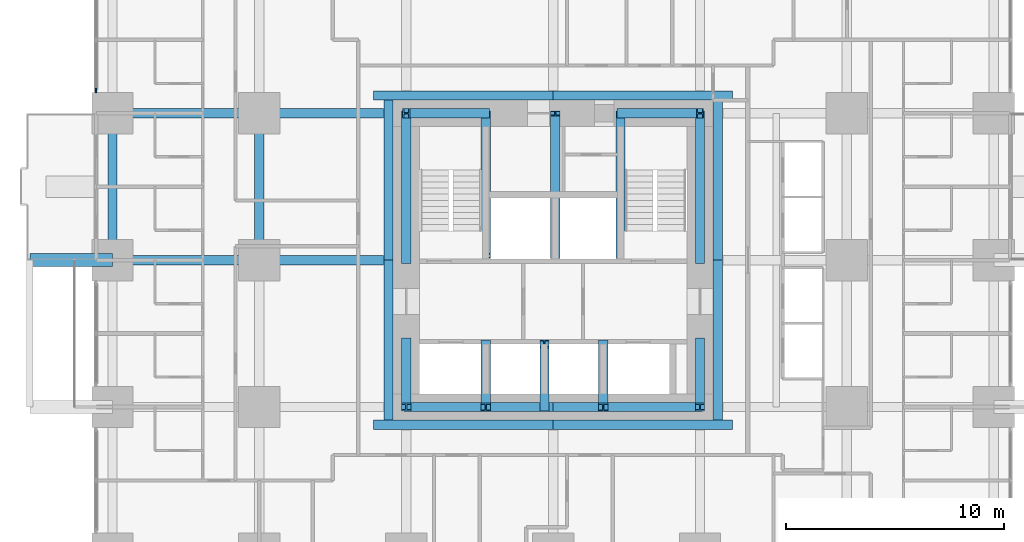
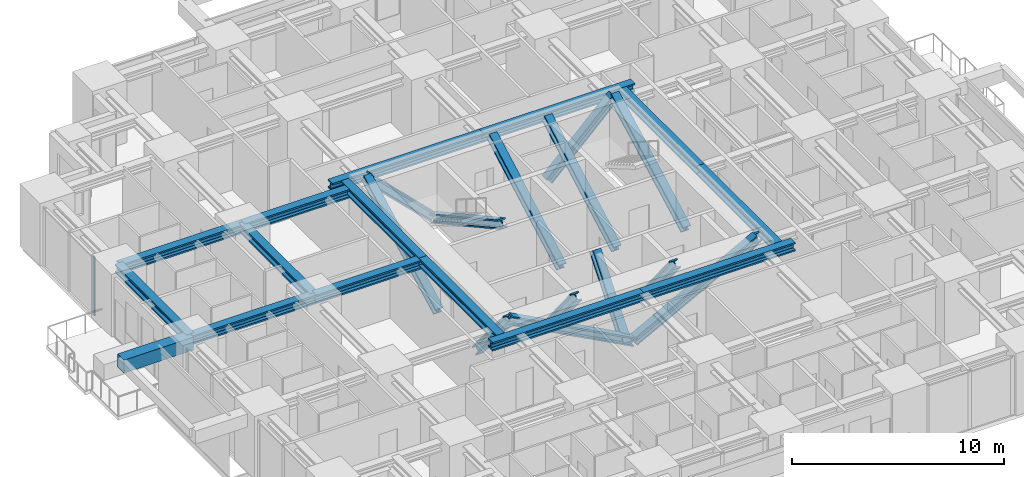
# One storey, part 3 of 15: 15 beams, 15 members, 1 element without a shape of its own.
"""IFC4 building model written with IfcOpenShell, lengths in metres."""

from ifc_helpers import new_model, si_unit, direction, frame, origin, origin_2d, place, context, subcontext, project, spatial, rectangle, i_section, extrude, material, material_profile, profile_set, type_object, element, aggregate, save


model = new_model("IFC4")

# Units and contexts
model_context = context("Model", 3, precision=1e-05, world=origin(), true_north=direction((0.0, 1.0)))
body_context = subcontext(model_context, "Body", "Model", "MODEL_VIEW")
ifc_project = project(units=[si_unit("LENGTHUNIT", "METRE"), si_unit("AREAUNIT", "SQUARE_METRE"), si_unit("VOLUMEUNIT", "CUBIC_METRE"), si_unit("PLANEANGLEUNIT", "RADIAN"), si_unit("MASSUNIT", "GRAM", prefix="KILO")], contexts=[model_context])

# Site, building, storey
site_placement = place(None, origin())
site = spatial("IfcSite", under=ifc_project, at=site_placement, CompositionType="ELEMENT")
building_placement = place(site_placement, origin())
building = spatial("IfcBuilding", under=site, at=building_placement, Name="Nyansa Garden Tower", CompositionType="ELEMENT")
storey_placement = place(building_placement, frame((0.0, 0.0, 36.0)))
storey = spatial("IfcBuildingStorey", under=building, at=storey_placement, Name="L09", CompositionType="ELEMENT", Elevation=36.0)

# Beam
ifc_material_1 = material(Name="Concrete C70/85", Category="concrete")
ifc_material_profile_1 = material_profile(ifc_material_1, rectangle(XDim=0.60009765625, YDim=0.75, at=origin_2d()), Name="RC 600x750")
ifc_profile_set_1 = profile_set([ifc_material_profile_1], Name="Concrete C70/85")
beam_type_1 = type_object("IfcBeamType", Name="Balcony cantilever beam CB1 RC 600x750", PredefinedType="BEAM", material=ifc_profile_set_1)
beam_1_placement = place(storey_placement, frame((0.0, 20.25, 2.985107421875), z_axis=(-1.0, 0.0, 0.0), x_axis=(0.0, -1.0, 0.0)))
element("IfcBeam", 1, at=beam_1_placement, inside=storey, type_object=beam_type_1, Name="Balcony cantilever beam L10", PredefinedType="BEAM", context=body_context, shape_type="SweptSolid", body=[
    extrude(rectangle(XDim=0.60009765625, YDim=0.75, at=origin_2d()), origin(), (0.0, 0.0, 1.0), 3.800048828125),
])

# Curtain wall, member
ifc_material_2 = material(Name="Black anodised aluminium, dark tinted double glazing", Category="aluminium")
curtain_wall_type = type_object("IfcCurtainWallType", Name="Inner skin curtain wall ISW-A", PredefinedType="USERDEFINED", material=ifc_material_2)
curtain_wall_placement = place(storey_placement, origin())
curtain_wall = element("IfcCurtainWall", 2, at=curtain_wall_placement, inside=storey, type_object=curtain_wall_type, Name="Inner skin curtain wall L09 W", ObjectType="UNITISED CURTAIN WALL", PredefinedType="USERDEFINED")
ifc_material_3 = material(Name="Black anodised aluminium", Category="aluminium")
ifc_material_profile_2 = material_profile(ifc_material_3, rectangle(XDim=0.06494140625, YDim=0.199951171875, at=origin_2d()), Name="Mullion 200x65")
ifc_profile_set_2 = profile_set([ifc_material_profile_2], Name="Black anodised aluminium")
member_type_1 = type_object("IfcMemberType", Name="Mullion ISW-A 200x65", PredefinedType="MULLION", material=ifc_profile_set_2)
member_1_placement = place(storey_placement, frame((-0.75, 28.050048828125, 0.0), z_axis=(0.0, 0.0, 1.0), x_axis=(1.0, 0.0, 0.0)))
member_1 = element("IfcMember", 3, at=member_1_placement, type_object=member_type_1, Name="ISW-A mullion 3", PredefinedType="MULLION", context=body_context, shape_type="SweptSolid", body=[
    extrude(rectangle(XDim=0.06494140625, YDim=0.199951171875, at=origin_2d()), origin(), (0.0, 0.0, 1.0), 3.375),
])
aggregate(curtain_wall, [member_1])

# Members
ifc_material_4 = material(Name="Steel S355", Category="steel")
ifc_material_profile_3 = material_profile(ifc_material_4, i_section(OverallWidth=0.424072265625, OverallDepth=0.47412109375, WebThickness=0.047607421875, FlangeThickness=0.076904296875, FilletRadius=0.014892578125, at=origin_2d()), Name="HD 400x634")
ifc_profile_set_3 = profile_set([ifc_material_profile_3], Name="Steel S355")
member_type_2 = type_object("IfcMemberType", Name="Perimeter brace HD 400x634", PredefinedType="BRACE", material=ifc_profile_set_3)
for number, where, z_axis, x_axis, name in (
    (4, (20.25, 13.5, 0.0), (-0.882347640589, 0.0, 0.47059817376), (0.0, -1.0, 0.0), "Core brace CS1 L09"),
    (5, (20.25, 13.5, 0.0), (0.882347640589, 0.0, 0.47059817376), (0.0, 1.0, 0.0), "Core brace CS2 L09"),
):
    element("IfcMember", number, at=place(storey_placement, frame(where, z_axis=z_axis, x_axis=x_axis)), inside=storey, type_object=member_type_2, Name=name, PredefinedType="BRACE", context=body_context, shape_type="SweptSolid", body=[
        extrude(i_section(OverallWidth=0.424072265625, OverallDepth=0.47412109375, WebThickness=0.047607421875, FlangeThickness=0.076904296875, FilletRadius=0.014892578125, at=origin_2d()), origin(), (0.0, 0.0, 1.0), 7.650146484375),
    ])
for number, where, z_axis, x_axis, name in (
    (6, (17.14990234375, 27.0, 0.0), (-0.711947531702, 0.0, 0.702232662373), (0.0, -1.0, 0.0), "Core brace CN3 L09"),
    (7, (23.35009765625, 27.0, 0.0), (0.711947531702, 0.0, 0.702232662373), (0.0, 1.0, 0.0), "Core brace CN4 L09"),
):
    element("IfcMember", number, at=place(storey_placement, frame(where, z_axis=z_axis, x_axis=x_axis)), inside=storey, type_object=member_type_2, Name=name, PredefinedType="BRACE", context=body_context, shape_type="SweptSolid", body=[
        extrude(i_section(OverallWidth=0.424072265625, OverallDepth=0.47412109375, WebThickness=0.047607421875, FlangeThickness=0.076904296875, FilletRadius=0.014892578125, at=origin_2d()), origin(), (0.0, 0.0, 1.0), 5.126708984375),
    ])
member_2_placement = place(storey_placement, frame((13.5, 16.5, 0.0), z_axis=(0.0, -0.640174150918, 0.768229820104), x_axis=(1.0, 0.0, 0.0)))
element("IfcMember", 8, at=member_2_placement, inside=storey, type_object=member_type_2, Name="Core brace CW5 L09", PredefinedType="BRACE", context=body_context, shape_type="SweptSolid", body=[
    extrude(i_section(OverallWidth=0.424072265625, OverallDepth=0.47412109375, WebThickness=0.047607421875, FlangeThickness=0.076904296875, FilletRadius=0.014892578125, at=origin_2d()), origin(), (0.0, 0.0, 1.0), 4.686279296875),
])
member_3_placement = place(storey_placement, frame((13.5, 20.199951171875, 0.0), z_axis=(0.0, 0.883784057226, 0.467895009796), x_axis=(-1.0, 0.0, 0.0)))
element("IfcMember", 9, at=member_3_placement, inside=storey, type_object=member_type_2, Name="Core brace CW6 L09", PredefinedType="BRACE", context=body_context, shape_type="SweptSolid", body=[
    extrude(i_section(OverallWidth=0.424072265625, OverallDepth=0.47412109375, WebThickness=0.047607421875, FlangeThickness=0.076904296875, FilletRadius=0.014892578125, at=origin_2d()), origin(), (0.0, 0.0, 1.0), 7.6943359375),
])
member_4_placement = place(storey_placement, frame((27.0, 16.5, 0.0), z_axis=(0.0, -0.640174150918, 0.768229820104), x_axis=(1.0, 0.0, 0.0)))
element("IfcMember", 10, at=member_4_placement, inside=storey, type_object=member_type_2, Name="Core brace CE7 L09", PredefinedType="BRACE", context=body_context, shape_type="SweptSolid", body=[
    extrude(i_section(OverallWidth=0.424072265625, OverallDepth=0.47412109375, WebThickness=0.047607421875, FlangeThickness=0.076904296875, FilletRadius=0.014892578125, at=origin_2d()), origin(), (0.0, 0.0, 1.0), 4.686279296875),
])
member_5_placement = place(storey_placement, frame((27.0, 20.199951171875, 0.0), z_axis=(0.0, 0.883784057226, 0.467895009796), x_axis=(-1.0, 0.0, 0.0)))
element("IfcMember", 11, at=member_5_placement, inside=storey, type_object=member_type_2, Name="Core brace CE8 L09", PredefinedType="BRACE", context=body_context, shape_type="SweptSolid", body=[
    extrude(i_section(OverallWidth=0.424072265625, OverallDepth=0.47412109375, WebThickness=0.047607421875, FlangeThickness=0.076904296875, FilletRadius=0.014892578125, at=origin_2d()), origin(), (0.0, 0.0, 1.0), 7.6943359375),
])
for number, where, z_axis, x_axis, name in (
    (12, (17.14990234375, 27.0, 0.0), (0.0, -0.876353113771, 0.481669201822), (1.0, 0.0, 0.0), "Core brace CWS9 L09"),
    (13, (23.35009765625, 20.449951171875, 0.0), (0.0, 0.876353113771, 0.481669201822), (-1.0, 0.0, 0.0), "Core brace CES10 L09"),
):
    element("IfcMember", number, at=place(storey_placement, frame(where, z_axis=z_axis, x_axis=x_axis)), inside=storey, type_object=member_type_2, Name=name, PredefinedType="BRACE", context=body_context, shape_type="SweptSolid", body=[
        extrude(i_section(OverallWidth=0.424072265625, OverallDepth=0.47412109375, WebThickness=0.047607421875, FlangeThickness=0.076904296875, FilletRadius=0.014892578125, at=origin_2d()), origin(), (0.0, 0.0, 1.0), 7.47412109375),
    ])
for number, where, z_axis, x_axis, name in (
    (14, (17.14990234375, 16.39990234375, 0.0), (0.0, -0.627306405886, 0.778772542617), (1.0, 0.0, 0.0), "Core brace CSW11 L09"),
    (15, (19.85009765625, 13.5, 0.0), (0.0, 0.627306405886, 0.778772542617), (-1.0, 0.0, 0.0), "Core brace CSW12 L09"),
    (16, (22.550048828125, 16.39990234375, 0.0), (0.0, -0.627306405886, 0.778772542617), (1.0, 0.0, 0.0), "Core brace CSW13 L09"),
):
    element("IfcMember", number, at=place(storey_placement, frame(where, z_axis=z_axis, x_axis=x_axis)), inside=storey, type_object=member_type_2, Name=name, PredefinedType="BRACE", context=body_context, shape_type="SweptSolid", body=[
        extrude(i_section(OverallWidth=0.424072265625, OverallDepth=0.47412109375, WebThickness=0.047607421875, FlangeThickness=0.076904296875, FilletRadius=0.014892578125, at=origin_2d()), origin(), (0.0, 0.0, 1.0), 4.622802734375),
    ])
member_6_placement = place(storey_placement, frame((20.35009765625, 20.449951171875, 0.0), z_axis=(0.0, 0.876353113771, 0.481669201822), x_axis=(-1.0, 0.0, 0.0)))
element("IfcMember", 17, at=member_6_placement, inside=storey, type_object=member_type_2, Name="Core brace CNW14 L09", PredefinedType="BRACE", context=body_context, shape_type="SweptSolid", body=[
    extrude(i_section(OverallWidth=0.424072265625, OverallDepth=0.47412109375, WebThickness=0.047607421875, FlangeThickness=0.076904296875, FilletRadius=0.014892578125, at=origin_2d()), origin(), (0.0, 0.0, 1.0), 7.47412109375),
])

# Beams
ifc_material_5 = material(Name="Steel S355", Category="steel")
ifc_material_profile_4 = material_profile(ifc_material_5, i_section(OverallWidth=0.431884765625, OverallDepth=0.498046875, WebThickness=0.0556640625, FlangeThickness=0.0888671875, FilletRadius=0.014892578125, at=origin_2d()), Name="HD 400x744")
ifc_profile_set_4 = profile_set([ifc_material_profile_4], Name="Steel S355")
beam_type_2 = type_object("IfcBeamType", Name="Steel beam SBA1-744 HD 400x744", PredefinedType="BEAM", material=ifc_profile_set_4)
for number, where, z_axis, x_axis, name in (
    (18, (0.0, 20.25, 3.1259765625), (1.0, 0.0, 0.0), (0.0, 1.0, 0.0), "Steel beam 2/G-3/G L10"),
    (19, (0.0, 27.0, 3.1259765625), (1.0, 0.0, 0.0), (0.0, 1.0, 0.0), "Steel beam 2/H-3/H L10"),
    (20, (6.75, 20.25, 3.1259765625), (0.0, 1.0, 0.0), (-1.0, 0.0, 0.0), "Steel beam 3/G-3/H L10"),
):
    element("IfcBeam", number, at=place(storey_placement, frame(where, z_axis=z_axis, x_axis=x_axis)), inside=storey, type_object=beam_type_2, Name=name, PredefinedType="BEAM", context=body_context, shape_type="SweptSolid", body=[
        extrude(i_section(OverallWidth=0.431884765625, OverallDepth=0.498046875, WebThickness=0.0556640625, FlangeThickness=0.0888671875, FilletRadius=0.014892578125, at=origin_2d()), origin(), (0.0, 0.0, 1.0), 6.75),
    ])
for number, where, z_axis, x_axis, name in (
    (21, (6.75, 20.25, 3.1259765625), (1.0, 0.0, 0.0), (0.0, 1.0, 0.0), "Steel beam 3/G-12.450/G L10"),
    (22, (6.75, 27.0, 3.1259765625), (1.0, 0.0, 0.0), (0.0, 1.0, 0.0), "Steel beam 3/H-12.450/H L10"),
):
    element("IfcBeam", number, at=place(storey_placement, frame(where, z_axis=z_axis, x_axis=x_axis)), inside=storey, type_object=beam_type_2, Name=name, PredefinedType="BEAM", context=body_context, shape_type="SweptSolid", body=[
        extrude(i_section(OverallWidth=0.431884765625, OverallDepth=0.498046875, WebThickness=0.0556640625, FlangeThickness=0.0888671875, FilletRadius=0.014892578125, at=origin_2d()), origin(), (0.0, 0.0, 1.0), 5.699951171875),
    ])
ifc_material_6 = material(Name="Steel S355", Category="steel")
ifc_material_profile_5 = material_profile(ifc_material_6, i_section(OverallWidth=0.431884765625, OverallDepth=0.498046875, WebThickness=0.0556640625, FlangeThickness=0.0888671875, FilletRadius=0.014892578125, at=origin_2d()), Name="HD 400x744")
ifc_profile_set_5 = profile_set([ifc_material_profile_5], Name="Steel S355")
beam_type_3 = type_object("IfcBeamType", Name="Steel beam SEBA-744 HD 400x744", PredefinedType="BEAM", material=ifc_profile_set_5)
beam_2_placement = place(storey_placement, frame((0.0, 20.25, 3.1259765625), z_axis=(0.0, 1.0, 0.0), x_axis=(-1.0, 0.0, 0.0)))
element("IfcBeam", 23, at=beam_2_placement, inside=storey, type_object=beam_type_3, Name="Steel edge beam 2/G-2/H L10", PredefinedType="BEAM", context=body_context, shape_type="SweptSolid", body=[
    extrude(i_section(OverallWidth=0.431884765625, OverallDepth=0.498046875, WebThickness=0.0556640625, FlangeThickness=0.0888671875, FilletRadius=0.014892578125, at=origin_2d()), origin(), (0.0, 0.0, 1.0), 6.75),
])
ifc_material_7 = material(Name="Steel S355", Category="steel")
ifc_material_profile_6 = material_profile(ifc_material_7, i_section(OverallWidth=0.431884765625, OverallDepth=0.498046875, WebThickness=0.0556640625, FlangeThickness=0.0888671875, FilletRadius=0.014892578125, at=origin_2d()), Name="HD 400x744")
ifc_profile_set_6 = profile_set([ifc_material_profile_6], Name="Steel S355")
beam_type_4 = type_object("IfcBeamType", Name="Steel beam SLB1-744 HD 400x744", PredefinedType="BEAM", material=ifc_profile_set_6)
for number, where, z_axis, x_axis, name in (
    (24, (12.0, 12.68408203125, 3.1259765625), (1.0, 0.0, 0.0), (0.0, 1.0, 0.0), "Steel core ledger beam S.1 L10"),
    (25, (20.25, 12.68408203125, 3.1259765625), (1.0, 0.0, 0.0), (0.0, 1.0, 0.0), "Steel core ledger beam S.2 L10"),
):
    element("IfcBeam", number, at=place(storey_placement, frame(where, z_axis=z_axis, x_axis=x_axis)), inside=storey, type_object=beam_type_4, Name=name, PredefinedType="BEAM", context=body_context, shape_type="SweptSolid", body=[
        extrude(i_section(OverallWidth=0.431884765625, OverallDepth=0.498046875, WebThickness=0.0556640625, FlangeThickness=0.0888671875, FilletRadius=0.014892578125, at=origin_2d()), origin(), (0.0, 0.0, 1.0), 8.25),
    ])
for number, where, z_axis, x_axis, name in (
    (26, (27.81591796875, 12.89990234375, 3.1259765625), (0.0, 1.0, 0.0), (-1.0, 0.0, 0.0), "Steel core ledger beam E.1 L10"),
    (27, (27.81591796875, 20.25, 3.1259765625), (0.0, 1.0, 0.0), (-1.0, 0.0, 0.0), "Steel core ledger beam E.2 L10"),
):
    element("IfcBeam", number, at=place(storey_placement, frame(where, z_axis=z_axis, x_axis=x_axis)), inside=storey, type_object=beam_type_4, Name=name, PredefinedType="BEAM", context=body_context, shape_type="SweptSolid", body=[
        extrude(i_section(OverallWidth=0.431884765625, OverallDepth=0.498046875, WebThickness=0.0556640625, FlangeThickness=0.0888671875, FilletRadius=0.014892578125, at=origin_2d()), origin(), (0.0, 0.0, 1.0), 7.35009765625),
    ])
for number, where, z_axis, x_axis, name in (
    (28, (28.5, 27.81591796875, 3.1259765625), (-1.0, 0.0, 0.0), (0.0, -1.0, 0.0), "Steel core ledger beam N.1 L10"),
    (29, (20.25, 27.81591796875, 3.1259765625), (-1.0, 0.0, 0.0), (0.0, -1.0, 0.0), "Steel core ledger beam N.2 L10"),
):
    element("IfcBeam", number, at=place(storey_placement, frame(where, z_axis=z_axis, x_axis=x_axis)), inside=storey, type_object=beam_type_4, Name=name, PredefinedType="BEAM", context=body_context, shape_type="SweptSolid", body=[
        extrude(i_section(OverallWidth=0.431884765625, OverallDepth=0.498046875, WebThickness=0.0556640625, FlangeThickness=0.0888671875, FilletRadius=0.014892578125, at=origin_2d()), origin(), (0.0, 0.0, 1.0), 8.25),
    ])
for number, where, z_axis, x_axis, name in (
    (30, (12.68408203125, 27.60009765625, 3.1259765625), (0.0, -1.0, 0.0), (1.0, 0.0, 0.0), "Steel core ledger beam W.1 L10"),
    (31, (12.68408203125, 20.25, 3.1259765625), (0.0, -1.0, 0.0), (1.0, 0.0, 0.0), "Steel core ledger beam W.2 L10"),
):
    element("IfcBeam", number, at=place(storey_placement, frame(where, z_axis=z_axis, x_axis=x_axis)), inside=storey, type_object=beam_type_4, Name=name, PredefinedType="BEAM", context=body_context, shape_type="SweptSolid", body=[
        extrude(i_section(OverallWidth=0.431884765625, OverallDepth=0.498046875, WebThickness=0.0556640625, FlangeThickness=0.0888671875, FilletRadius=0.014892578125, at=origin_2d()), origin(), (0.0, 0.0, 1.0), 7.35009765625),
    ])

save(model, "model.ifc")
